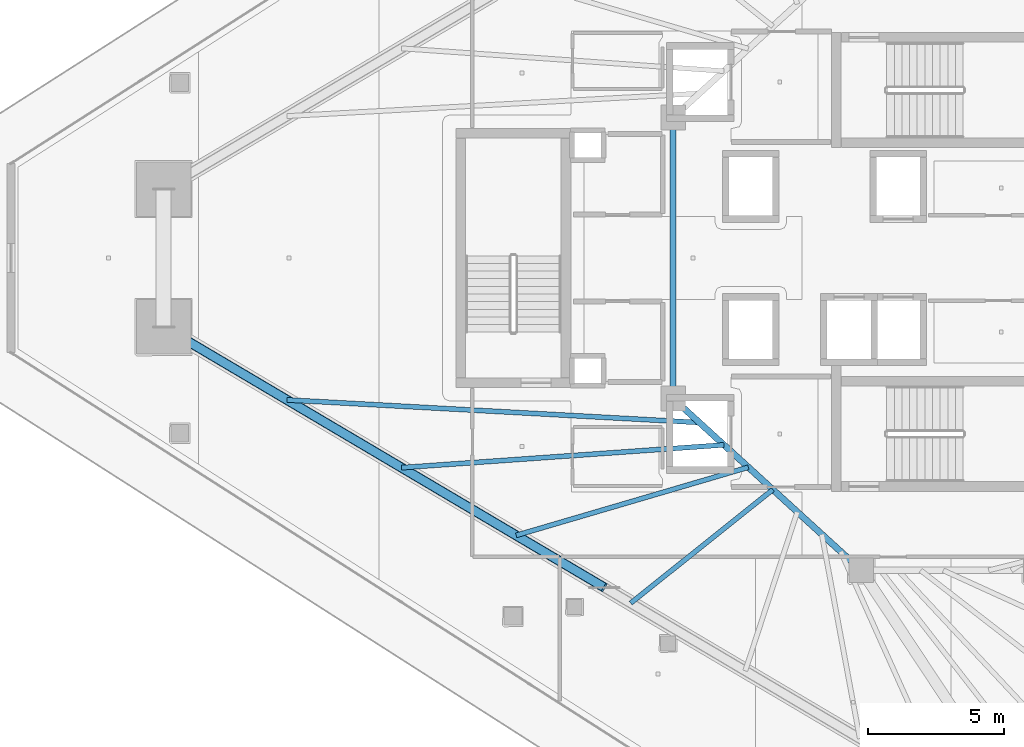
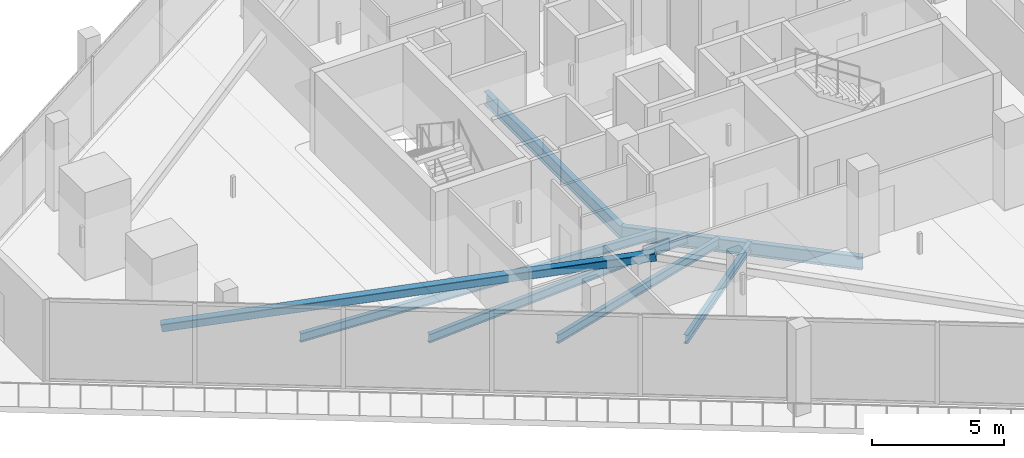
# One storey, part 8 of 39: 6 beams, 1 member.
"""IFC4 building model written with IfcOpenShell, lengths in metres."""

from ifc_helpers import new_model, si_unit, direction, frame, origin, origin_2d, place, context, subcontext, project, spatial, hollow_rectangle, i_section, extrude, material, material_profile, profile_set, type_object, element, save


model = new_model("IFC4")

# Units and contexts
model_context = context("Model", 3, precision=1e-05, world=origin(), true_north=direction((0.0, 1.0)))
body_context = subcontext(model_context, "Body", "Model", "MODEL_VIEW")
ifc_project = project(units=[si_unit("LENGTHUNIT", "METRE"), si_unit("AREAUNIT", "SQUARE_METRE"), si_unit("VOLUMEUNIT", "CUBIC_METRE"), si_unit("PLANEANGLEUNIT", "RADIAN"), si_unit("MASSUNIT", "GRAM", prefix="KILO")], contexts=[model_context])

# Site, building, storey
site_placement = place(None, origin())
site = spatial("IfcSite", under=ifc_project, at=site_placement, CompositionType="ELEMENT")
building_placement = place(site_placement, origin())
building = spatial("IfcBuilding", under=site, at=building_placement, Name="Qorvath Tower", CompositionType="ELEMENT")
storey_placement = place(building_placement, frame((0.0, 0.0, 201.0)))
storey = spatial("IfcBuildingStorey", under=building, at=storey_placement, Name="L46", CompositionType="ELEMENT", Elevation=201.0)

# Beams
ifc_material_1 = material(Name="Steel ASTM A992 Grade 50", Category="steel")
ifc_material_profile_1 = material_profile(ifc_material_1, i_section(OverallWidth=0.22998046875, OverallDepth=0.616943359375, WebThickness=0.01318359375, FlangeThickness=0.022216796875, FilletRadius=0.014892578125, at=origin_2d()), Name="W24x94")
ifc_profile_set_1 = profile_set([ifc_material_profile_1], Name="Steel ASTM A992 Grade 50")
beam_type_1 = type_object("IfcBeamType", Name="BM-FG6", PredefinedType="BEAM", material=ifc_profile_set_1)
beam_1_placement = place(storey_placement, frame((-23.60009765625, -11.449951171875, -0.57861328125), z_axis=(-0.73847813985, 0.6742774184, 0.0), x_axis=(-0.6742774184, -0.73847813985, 0.0)))
element("IfcBeam", 1, at=beam_1_placement, inside=storey, type_object=beam_type_1, Name="Core Ring Girder CC4-CC6 L46", PredefinedType="BEAM", context=body_context, shape_type="SweptSolid", body=[
    extrude(i_section(OverallWidth=0.22998046875, OverallDepth=0.616943359375, WebThickness=0.01318359375, FlangeThickness=0.022216796875, FilletRadius=0.014892578125, at=origin_2d()), origin(), (0.0, 0.0, 1.0), 9.343505859375),
])
beam_2_placement = place(storey_placement, frame((-30.5, -5.14990234375, -0.57861328125), z_axis=(0.0, 1.0, 0.0), x_axis=(-1.0, 0.0, 0.0)))
element("IfcBeam", 2, at=beam_2_placement, inside=storey, type_object=beam_type_1, Name="Core Ring Girder CC6-CC5 L46", PredefinedType="BEAM", context=body_context, shape_type="SweptSolid", body=[
    extrude(i_section(OverallWidth=0.22998046875, OverallDepth=0.616943359375, WebThickness=0.01318359375, FlangeThickness=0.022216796875, FilletRadius=0.014892578125, at=origin_2d()), origin(), (0.0, 0.0, 1.0), 10.2998046875),
])
ifc_material_2 = material(Name="Steel ASTM A992 Grade 50", Category="steel")
ifc_material_profile_2 = material_profile(ifc_material_2, i_section(OverallWidth=0.177978515625, OverallDepth=0.406005859375, WebThickness=0.0078125, FlangeThickness=0.0126953125, FilletRadius=0.010986328125, at=origin_2d()), Name="W16x40")
ifc_profile_set_2 = profile_set([ifc_material_profile_2], Name="Steel ASTM A992 Grade 50")
beam_type_2 = type_object("IfcBeamType", Name="BM-FJ3", PredefinedType="JOIST", material=ifc_profile_set_2)
beam_3_placement = place(storey_placement, frame((-29.533935546875, -6.031982421875, -0.472900390625), z_axis=(-0.998494745044, 0.054847462293, 0.0), x_axis=(-0.054847462293, -0.998494745044, 0.0)))
element("IfcBeam", 3, at=beam_3_placement, inside=storey, type_object=beam_type_2, Name="Composite Floor Joist SW1 L46", PredefinedType="JOIST", context=body_context, shape_type="SweptSolid", body=[
    extrude(i_section(OverallWidth=0.177978515625, OverallDepth=0.406005859375, WebThickness=0.0078125, FlangeThickness=0.0126953125, FilletRadius=0.010986328125, at=origin_2d()), origin(), (0.0, 0.0, 1.0), 15.138671875),
])
beam_4_placement = place(storey_placement, frame((-28.636962890625, -6.85107421875, -0.472900390625), z_axis=(-0.997520476731, -0.070376832146, 0.0), x_axis=(0.070376832146, -0.997520476731, 0.0)))
element("IfcBeam", 4, at=beam_4_placement, inside=storey, type_object=beam_type_2, Name="Composite Floor Joist SW2 L46", PredefinedType="JOIST", context=body_context, shape_type="SweptSolid", body=[
    extrude(i_section(OverallWidth=0.177978515625, OverallDepth=0.406005859375, WebThickness=0.0078125, FlangeThickness=0.0126953125, FilletRadius=0.010986328125, at=origin_2d()), origin(), (0.0, 0.0, 1.0), 11.84326171875),
])
beam_5_placement = place(storey_placement, frame((-27.739990234375, -7.669921875, -0.472900390625), z_axis=(-0.959544992264, -0.281555337049, 0.0), x_axis=(0.281555337049, -0.959544992264, 0.0)))
element("IfcBeam", 5, at=beam_5_placement, inside=storey, type_object=beam_type_2, Name="Composite Floor Joist SW3 L46", PredefinedType="JOIST", context=body_context, shape_type="SweptSolid", body=[
    extrude(i_section(OverallWidth=0.177978515625, OverallDepth=0.406005859375, WebThickness=0.0078125, FlangeThickness=0.0126953125, FilletRadius=0.010986328125, at=origin_2d()), origin(), (0.0, 0.0, 1.0), 8.87060546875),
])
beam_6_placement = place(storey_placement, frame((-26.843017578125, -8.489013671875, -0.472900390625), z_axis=(-0.781336553339, -0.624109918537, 0.0), x_axis=(0.624109918537, -0.781336553339, 0.0)))
element("IfcBeam", 6, at=beam_6_placement, inside=storey, type_object=beam_type_2, Name="Composite Floor Joist SW4 L46", PredefinedType="JOIST", context=body_context, shape_type="SweptSolid", body=[
    extrude(i_section(OverallWidth=0.177978515625, OverallDepth=0.406005859375, WebThickness=0.0078125, FlangeThickness=0.0126953125, FilletRadius=0.010986328125, at=origin_2d()), origin(), (0.0, 0.0, 1.0), 6.667724609375),
])

# Member
ifc_material_3 = material(Name="Steel ASTM A500 Grade C", Category="steel")
ifc_material_profile_3 = material_profile(ifc_material_3, hollow_rectangle(XDim=0.355712890625, YDim=0.355712890625, WallThickness=0.015869140625, InnerFilletRadius=0.015869140625, OuterFilletRadius=0.03173828125, at=origin_2d()), Name="HSS 356x356x16")
ifc_profile_set_3 = profile_set([ifc_material_profile_3], Name="Steel ASTM A500 Grade C")
member_type = type_object("IfcMemberType", Name="MEM-MB2", PredefinedType="BRACE", material=ifc_profile_set_3)
member_placement = place(storey_placement, frame((-49.171875, -2.52783203125, 0.0), z_axis=(0.846746895049, -0.500680334384, 0.179830193475), x_axis=(0.508977860581, 0.860779610259, 0.0)))
element("IfcMember", 7, at=member_placement, inside=storey, type_object=member_type, Name="Perimeter Chevron Brace L46-2A", PredefinedType="BRACE", context=body_context, shape_type="SweptSolid", body=[
    extrude(hollow_rectangle(XDim=0.355712890625, YDim=0.355712890625, WallThickness=0.015869140625, InnerFilletRadius=0.015869140625, OuterFilletRadius=0.03173828125, at=origin_2d()), origin(), (0.0, 0.0, 1.0), 19.0732421875),
])

save(model, "model.ifc")
